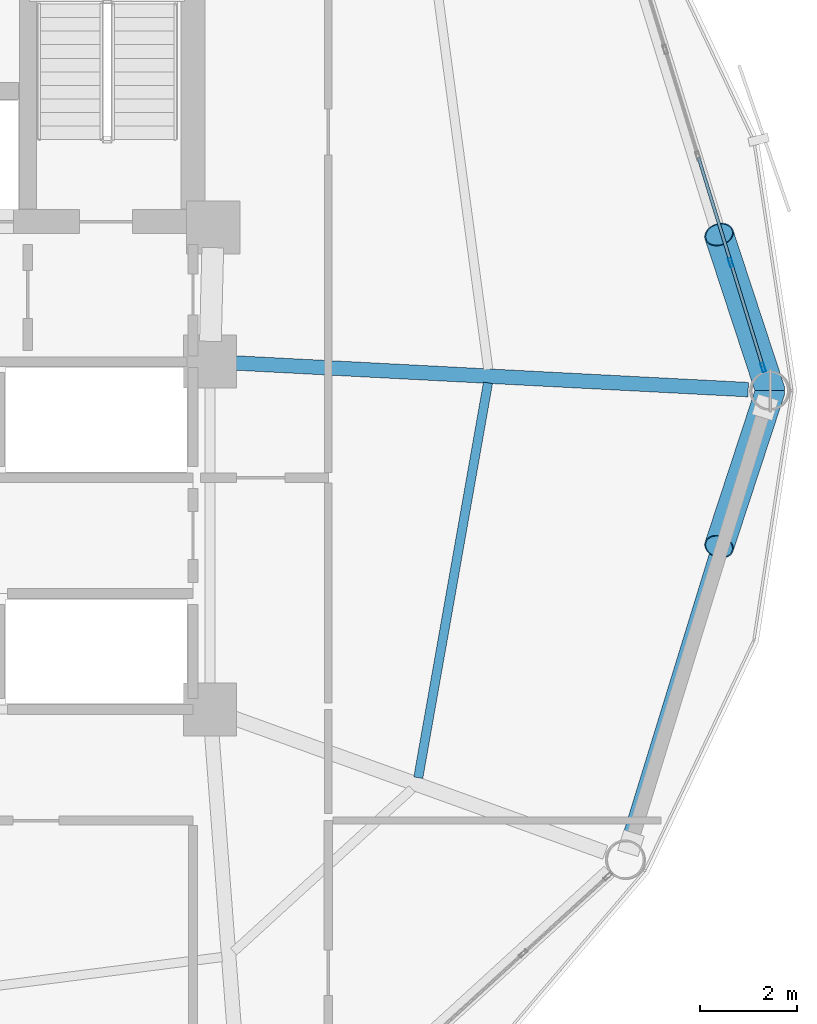
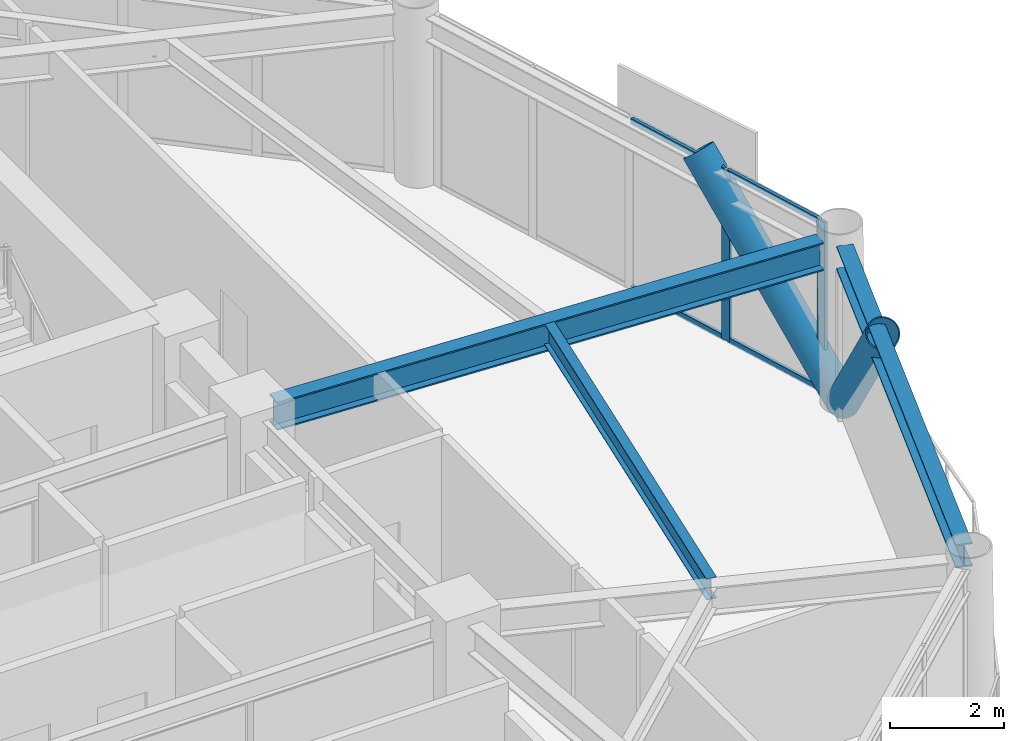
# One storey, part 13 of 24: 8 members, 3 beams, 1 element without a shape of its own.
"""IFC4 building model written with IfcOpenShell, lengths in metres."""

from ifc_helpers import new_model, si_unit, direction, frame, origin, origin_2d, place, context, subcontext, project, spatial, hollow_rectangle, hollow_circle, i_section, extrude, material, layer, layer_set, material_profile, profile_set, type_object, element, aggregate, save


model = new_model("IFC4")

# Units and contexts
model_context = context("Model", 3, precision=1e-05, world=origin(), true_north=direction((0.0, 1.0)))
body_context = subcontext(model_context, "Body", "Model", "MODEL_VIEW")
ifc_project = project(units=[si_unit("LENGTHUNIT", "METRE"), si_unit("AREAUNIT", "SQUARE_METRE"), si_unit("VOLUMEUNIT", "CUBIC_METRE"), si_unit("PLANEANGLEUNIT", "RADIAN"), si_unit("MASSUNIT", "GRAM", prefix="KILO")], contexts=[model_context])

# Site, building, storey
site_placement = place(None, origin())
site = spatial("IfcSite", under=ifc_project, at=site_placement, CompositionType="ELEMENT")
building_placement = place(site_placement, origin())
building = spatial("IfcBuilding", under=site, at=building_placement, Name="Varnakorn Sky Granary", CompositionType="ELEMENT")
storey_placement = place(building_placement, frame((0.0, 0.0, 111.0)))
storey = spatial("IfcBuildingStorey", under=building, at=storey_placement, Name="L27", CompositionType="ELEMENT", Elevation=111.0)

# Beams
ifc_material_1 = material(Name="Steel S355JR", Category="steel")
ifc_material_profile_1 = material_profile(ifc_material_1, i_section(OverallWidth=0.300048828125, OverallDepth=0.60009765625, WebThickness=0.015380859375, FlangeThickness=0.030029296875, at=origin_2d()), Name="HE 600 B")
ifc_profile_set_1 = profile_set([ifc_material_profile_1], Name="Steel S355JR")
beam_type_1 = type_object("IfcBeamType", Name="BM-RAD-Z2", PredefinedType="BEAM", material=ifc_profile_set_1)
beam_1_placement = place(storey_placement, frame((8.769287109375, 0.578125, 3.340087890625), z_axis=(0.998649367493, -0.051956143095, 0.0), x_axis=(0.051956143095, 0.998649367493, 0.0)))
element("IfcBeam", 1, at=beam_1_placement, inside=storey, type_object=beam_type_1, Name="Radial Floor Girder RG01 L27", PredefinedType="BEAM", context=body_context, shape_type="SweptSolid", body=[
    extrude(i_section(OverallWidth=0.300048828125, OverallDepth=0.60009765625, WebThickness=0.015380859375, FlangeThickness=0.030029296875, at=origin_2d()), origin(), (0.0, 0.0, 1.0), 10.737060546875),
])
ifc_material_profile_2 = material_profile(ifc_material_1, i_section(OverallWidth=0.18994140625, OverallDepth=0.449951171875, WebThickness=0.009521484375, FlangeThickness=0.0146484375, at=origin_2d()), Name="IPE 450")
ifc_profile_set_2 = profile_set([ifc_material_profile_2], Name="Steel S355JR")
beam_type_2 = type_object("IfcBeamType", Name="BM-SEC-Z2", PredefinedType="BEAM", material=ifc_profile_set_2)
beam_2_placement = place(storey_placement, frame((12.663330078125, -8.012451171875, 3.4150390625), z_axis=(0.173864197518, 0.984769638454, 0.0), x_axis=(-0.984769638454, 0.173864197518, 0.0)))
element("IfcBeam", 2, at=beam_2_placement, inside=storey, type_object=beam_type_2, Name="Secondary Floor Chord Beam MSB12 L27", PredefinedType="BEAM", context=body_context, shape_type="SweptSolid", body=[
    extrude(i_section(OverallWidth=0.18994140625, OverallDepth=0.449951171875, WebThickness=0.009521484375, FlangeThickness=0.0146484375, at=origin_2d()), origin(), (0.0, 0.0, 1.0), 8.30029296875),
])
ifc_material_profile_3 = material_profile(ifc_material_1, i_section(OverallWidth=0.300048828125, OverallDepth=0.5, WebThickness=0.014404296875, FlangeThickness=0.028076171875, at=origin_2d()), Name="HE 500 B")
ifc_profile_set_3 = profile_set([ifc_material_profile_3], Name="Steel S355JR")
beam_type_3 = type_object("IfcBeamType", Name="BM-SPD-Z2", PredefinedType="SPANDREL", material=ifc_profile_set_3)
beam_3_placement = place(storey_placement, frame((17.016357421875, -9.31689453125, 3.389892578125), z_axis=(0.294074847193, 0.955782393774, 0.0), x_axis=(-0.955782393774, 0.294074847193, 0.0)))
element("IfcBeam", 3, at=beam_3_placement, inside=storey, type_object=beam_type_3, Name="Perimeter Spandrel Ring Beam RB12 L27", PredefinedType="SPANDREL", context=body_context, shape_type="SweptSolid", body=[
    extrude(i_section(OverallWidth=0.300048828125, OverallDepth=0.5, WebThickness=0.014404296875, FlangeThickness=0.028076171875, at=origin_2d()), origin(), (0.0, 0.0, 1.0), 9.3564453125),
])

# Curtain wall, members
ifc_material_2 = material(Name="Anodised Bronze Aluminium Alloy 6063-T6", Category="aluminium")
ifc_layer = layer(ifc_material_2, 0.179931640625, Name="Anodised Bronze Aluminium Alloy 6063-T6")
ifc_layer_set = layer_set([ifc_layer], Name="Anodised Bronze Aluminium Alloy 6063-T6")
curtain_wall_type = type_object("IfcCurtainWallType", Name="CW-FRM-2", PredefinedType="USERDEFINED", material=ifc_layer_set)
curtain_wall_placement = place(storey_placement, origin())
curtain_wall = element("IfcCurtainWall", 4, at=curtain_wall_placement, inside=storey, type_object=curtain_wall_type, Name="Unitised Curtain Wall CW4 CW-L27-B01", ObjectType="CURTAIN WALL", PredefinedType="USERDEFINED")
ifc_material_profile_4 = material_profile(ifc_material_2, hollow_rectangle(XDim=0.070068359375, YDim=0.18505859375, WallThickness=0.00390625, at=origin_2d()), Name="ALU MULL 70x185")
ifc_profile_set_4 = profile_set([ifc_material_profile_4], Name="Anodised Bronze Aluminium Alloy 6063-T6")
member_type_1 = type_object("IfcMemberType", Name="CW-FRM-2-MULL", PredefinedType="MULLION", material=ifc_profile_set_4)
member_1_placement = place(storey_placement, frame((19.1337890625, 2.651611328125, 0.0), z_axis=(0.0, 0.0, 1.0), x_axis=(0.955737543089, 0.294220578361, 0.0)))
member_1 = element("IfcMember", 5, at=member_1_placement, type_object=member_type_1, Name="CW4 mullion 4", PredefinedType="MULLION", context=body_context, shape_type="SweptSolid", body=[
    extrude(hollow_rectangle(XDim=0.070068359375, YDim=0.18505859375, WallThickness=0.00390625, at=origin_2d()), origin(), (0.0, 0.0, 1.0), 3.639892578125),
])
member_2_placement = place(storey_placement, frame((19.802490234375, 0.479248046875, 0.0), z_axis=(0.0, 0.0, 1.0), x_axis=(0.955737543089, 0.294220578361, 0.0)))
member_2 = element("IfcMember", 6, at=member_2_placement, type_object=member_type_1, Name="CW4 mullion 5", PredefinedType="MULLION", context=body_context, shape_type="SweptSolid", body=[
    extrude(hollow_rectangle(XDim=0.070068359375, YDim=0.18505859375, WallThickness=0.00390625, at=origin_2d()), origin(), (0.0, 0.0, 1.0), 3.639892578125),
])
ifc_material_profile_5 = material_profile(ifc_material_2, hollow_rectangle(XDim=0.06494140625, YDim=0.1201171875, WallThickness=0.00341796875, at=origin_2d()), Name="ALU TRAN 65x120")
ifc_profile_set_5 = profile_set([ifc_material_profile_5], Name="Anodised Bronze Aluminium Alloy 6063-T6")
member_type_2 = type_object("IfcMemberType", Name="CW-FRM-2-TRAN", PredefinedType="USERDEFINED", material=ifc_profile_set_5)
member_3_placement = place(storey_placement, frame((18.46484375, 4.82373046875, 0.032470703125), z_axis=(0.294246843148, -0.955729457167, 0.0), x_axis=(0.955729457167, 0.294246843148, 0.0)))
member_3 = element("IfcMember", 7, at=member_3_placement, type_object=member_type_2, Name="CW4 transom 3.1", ObjectType="TRANSOM", PredefinedType="USERDEFINED", context=body_context, shape_type="SweptSolid", body=[
    extrude(hollow_rectangle(XDim=0.06494140625, YDim=0.1201171875, WallThickness=0.00341796875, at=origin_2d()), origin(), (0.0, 0.0, 1.0), 2.23779296875),
])
member_4_placement = place(storey_placement, frame((18.46484375, 4.82373046875, 3.607421875), z_axis=(0.294246843148, -0.955729457167, 0.0), x_axis=(0.955729457167, 0.294246843148, 0.0)))
member_4 = element("IfcMember", 8, at=member_4_placement, type_object=member_type_2, Name="CW4 transom 3.2", ObjectType="TRANSOM", PredefinedType="USERDEFINED", context=body_context, shape_type="SweptSolid", body=[
    extrude(hollow_rectangle(XDim=0.06494140625, YDim=0.1201171875, WallThickness=0.00341796875, at=origin_2d()), origin(), (0.0, 0.0, 1.0), 2.23779296875),
])
member_5_placement = place(storey_placement, frame((19.14404296875, 2.6181640625, 0.032470703125), z_axis=(0.294132575183, -0.955764630135, 0.0), x_axis=(0.955764630135, 0.294132575183, 0.0)))
member_5 = element("IfcMember", 9, at=member_5_placement, type_object=member_type_2, Name="CW4 transom 4.1", ObjectType="TRANSOM", PredefinedType="USERDEFINED", context=body_context, shape_type="SweptSolid", body=[
    extrude(hollow_rectangle(XDim=0.06494140625, YDim=0.1201171875, WallThickness=0.00341796875, at=origin_2d()), origin(), (0.0, 0.0, 1.0), 2.202880859375),
])
member_6_placement = place(storey_placement, frame((19.14404296875, 2.6181640625, 3.607421875), z_axis=(0.294132575183, -0.955764630135, 0.0), x_axis=(0.955764630135, 0.294132575183, 0.0)))
member_6 = element("IfcMember", 10, at=member_6_placement, type_object=member_type_2, Name="CW4 transom 4.2", ObjectType="TRANSOM", PredefinedType="USERDEFINED", context=body_context, shape_type="SweptSolid", body=[
    extrude(hollow_rectangle(XDim=0.06494140625, YDim=0.1201171875, WallThickness=0.00341796875, at=origin_2d()), origin(), (0.0, 0.0, 1.0), 2.202880859375),
])
aggregate(curtain_wall, [member_1, member_2, member_3, member_4, member_5, member_6])

# Members
ifc_material_3 = material(Name="Steel S460M", Category="steel")
ifc_material_profile_6 = material_profile(ifc_material_3, hollow_circle(Radius=0.304931640625, WallThickness=0.022216796875, at=origin_2d()), Name="CHS 610x22")
ifc_profile_set_6 = profile_set([ifc_material_profile_6], Name="Steel S460M")
member_type_3 = type_object("IfcMemberType", Name="MB-DIAG-T1", PredefinedType="BRACE", material=ifc_profile_set_6)
for number, where, z_axis, x_axis, name in (
    (11, (19.949951171875, 0.0, 0.0), (-0.208342859009, 0.634426781944, 0.744376189472), (-0.950081323583, -0.312002369509, 0.0), "Perimeter CHS Diagrid Brace DG01 L27"),
    (12, (19.949951171875, 0.0, 0.0), (-0.208342859009, -0.634426781944, 0.744376189472), (0.950081323583, -0.312002369509, 0.0), "Perimeter CHS Diagrid Brace DG12 L27"),
):
    element("IfcMember", number, at=place(storey_placement, frame(where, z_axis=z_axis, x_axis=x_axis)), inside=storey, type_object=member_type_3, Name=name, PredefinedType="BRACE", context=body_context, shape_type="SweptSolid", body=[
        extrude(hollow_circle(Radius=0.304931640625, WallThickness=0.022216796875, at=origin_2d()), origin(), (0.0, 0.0, 1.0), 5.091552734375),
    ])

save(model, "model.ifc")
